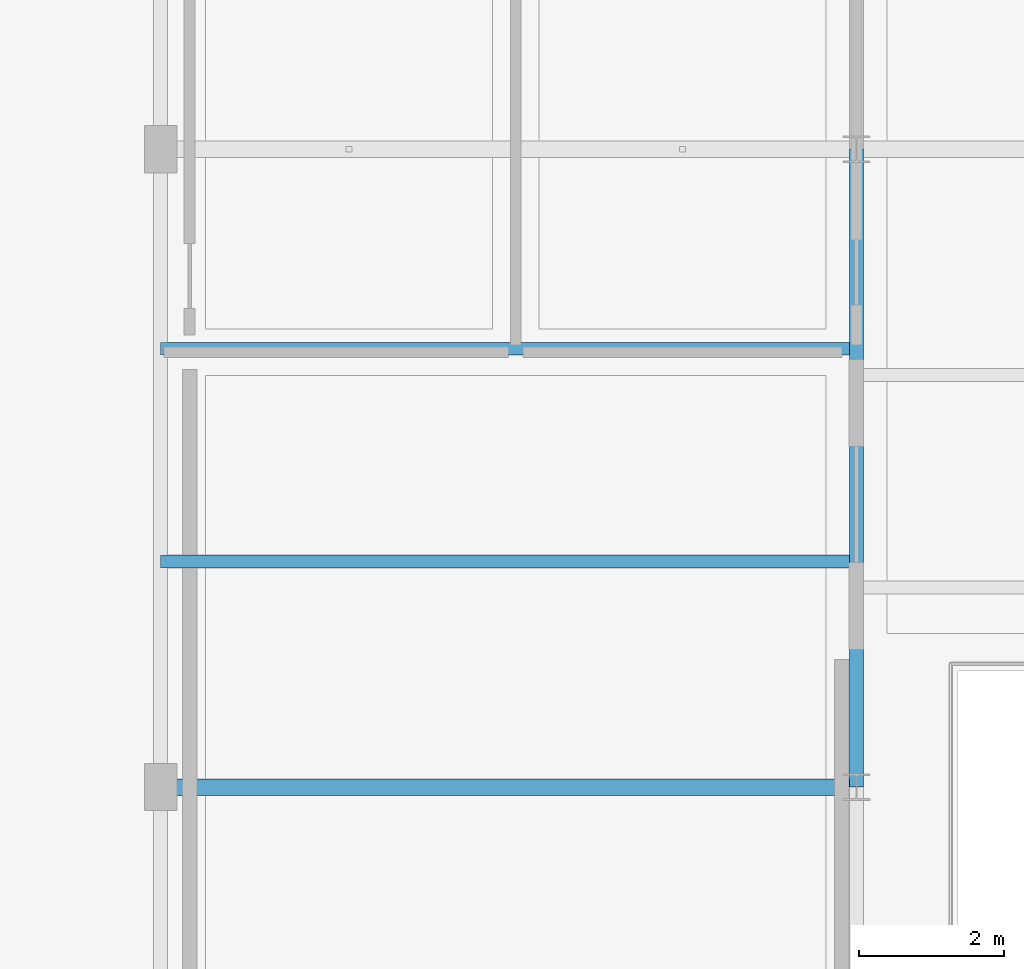
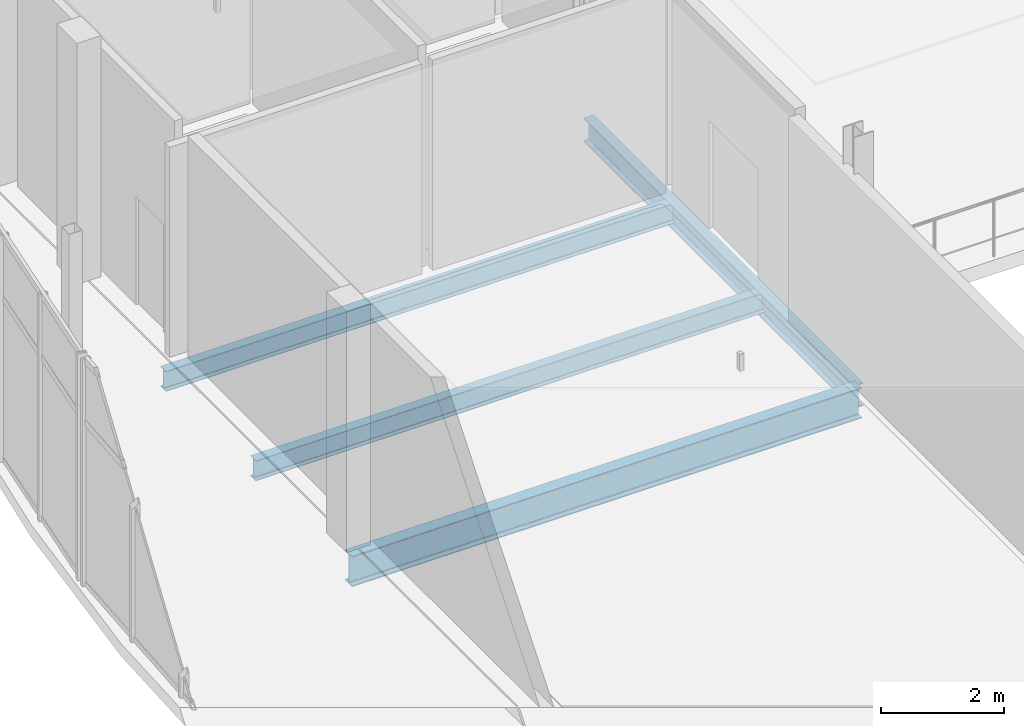
# One storey, part 34 of 157: 4 beams.
"""IFC4 building model written with IfcOpenShell, lengths in metres."""

from ifc_helpers import new_model, si_unit, direction, frame, origin, origin_2d, place, context, subcontext, project, spatial, i_section, extrude, material, material_profile, profile_set, type_object, element, save


model = new_model("IFC4")

# Units and contexts
model_context = context("Model", 3, precision=1e-05, world=origin(), true_north=direction((0.0, 1.0)))
body_context = subcontext(model_context, "Body", "Model", "MODEL_VIEW")
ifc_project = project(units=[si_unit("LENGTHUNIT", "METRE"), si_unit("AREAUNIT", "SQUARE_METRE"), si_unit("VOLUMEUNIT", "CUBIC_METRE"), si_unit("PLANEANGLEUNIT", "RADIAN"), si_unit("MASSUNIT", "GRAM", prefix="KILO")], contexts=[model_context])

# Site, building, storey
site_placement = place(None, origin())
site = spatial("IfcSite", under=ifc_project, at=site_placement, CompositionType="ELEMENT")
building_placement = place(site_placement, origin())
building = spatial("IfcBuilding", under=site, at=building_placement, Name="Chalmorin Arch Market", CompositionType="ELEMENT")
storey_placement = place(building_placement, frame((0.0, 0.0, 4.800048828125)))
storey = spatial("IfcBuildingStorey", under=building, at=storey_placement, Name="L01", CompositionType="ELEMENT", Elevation=4.800048828125)

# Beams
ifc_material = material(Name="Steel A992 Grade 50", Category="steel")
ifc_material_profile_1 = material_profile(ifc_material, i_section(OverallWidth=0.193115234375, OverallDepth=0.466064453125, WebThickness=0.011474609375, FlangeThickness=0.01904296875, FilletRadius=0.02001953125, at=origin_2d()), Name="W18X65")
ifc_profile_set_1 = profile_set([ifc_material_profile_1], Name="Steel A992 Grade 50")
beam_type_1 = type_object("IfcBeamType", Name="FloorSteelBeam-W18X65", PredefinedType="BEAM", material=ifc_profile_set_1)
beam_1_placement = place(storey_placement, frame((9.60009765625, 32.39990234375, -0.51513671875), z_axis=(0.0, 1.0, 0.0), x_axis=(-1.0, 0.0, 0.0)))
element("IfcBeam", 1, at=beam_1_placement, inside=storey, type_object=beam_type_1, Name="BM-W18A-0810", PredefinedType="BEAM", context=body_context, shape_type="SweptSolid", body=[
    extrude(i_section(OverallWidth=0.193115234375, OverallDepth=0.466064453125, WebThickness=0.011474609375, FlangeThickness=0.01904296875, FilletRadius=0.02001953125, at=origin_2d()), origin(), (0.0, 0.0, 1.0), 8.800048828125),
])
ifc_material_profile_2 = material_profile(ifc_material, i_section(OverallWidth=0.22802734375, OverallDepth=0.60791015625, WebThickness=0.01123046875, FlangeThickness=0.017333984375, FilletRadius=0.02392578125, at=origin_2d()), Name="W24X76")
ifc_profile_set_2 = profile_set([ifc_material_profile_2], Name="Steel A992 Grade 50")
beam_type_2 = type_object("IfcBeamType", Name="PrimarySteelGirder-W24X76", PredefinedType="BEAM", material=ifc_profile_set_2)
beam_2_placement = place(storey_placement, frame((0.0, 32.39990234375, -0.5859375), z_axis=(1.0, 0.0, 0.0), x_axis=(0.0, 1.0, 0.0)))
element("IfcBeam", 2, at=beam_2_placement, inside=storey, type_object=beam_type_2, Name="BG-W24B-0805", PredefinedType="BEAM", context=body_context, shape_type="SweptSolid", body=[
    extrude(i_section(OverallWidth=0.22802734375, OverallDepth=0.60791015625, WebThickness=0.01123046875, FlangeThickness=0.017333984375, FilletRadius=0.02392578125, at=origin_2d()), origin(), (0.0, 0.0, 1.0), 9.60009765625),
])
ifc_material_profile_3 = material_profile(ifc_material, i_section(OverallWidth=0.177978515625, OverallDepth=0.403076171875, WebThickness=0.007568359375, FlangeThickness=0.010986328125, FilletRadius=0.01806640625, at=origin_2d()), Name="W16X36")
ifc_profile_set_3 = profile_set([ifc_material_profile_3], Name="Steel A992 Grade 50")
beam_type_3 = type_object("IfcBeamType", Name="SecondaryFloorJoist-W16X36", PredefinedType="JOIST", material=ifc_profile_set_3)
for number, where, z_axis, x_axis, name in (
    (3, (0.0, 35.51318359375, -0.483642578125), (1.0, 0.0, 0.0), (0.0, 1.0, 0.0), "BJ-W16B-0849"),
    (4, (0.0, 38.44677734375, -0.483642578125), (1.0, 0.0, 0.0), (0.0, 1.0, 0.0), "BJ-W16B-0850"),
):
    element("IfcBeam", number, at=place(storey_placement, frame(where, z_axis=z_axis, x_axis=x_axis)), inside=storey, type_object=beam_type_3, Name=name, PredefinedType="JOIST", context=body_context, shape_type="SweptSolid", body=[
        extrude(i_section(OverallWidth=0.177978515625, OverallDepth=0.403076171875, WebThickness=0.007568359375, FlangeThickness=0.010986328125, FilletRadius=0.01806640625, at=origin_2d()), origin(), (0.0, 0.0, 1.0), 9.60009765625),
    ])

save(model, "model.ifc")
